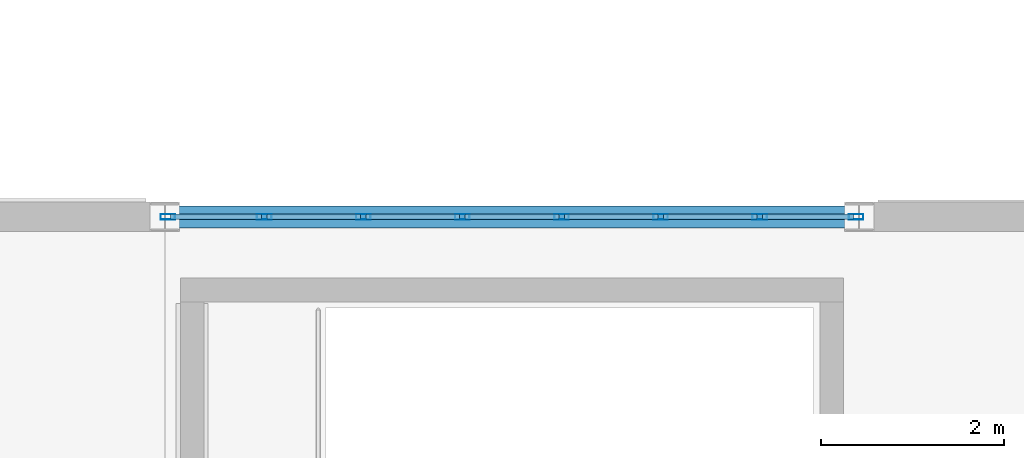
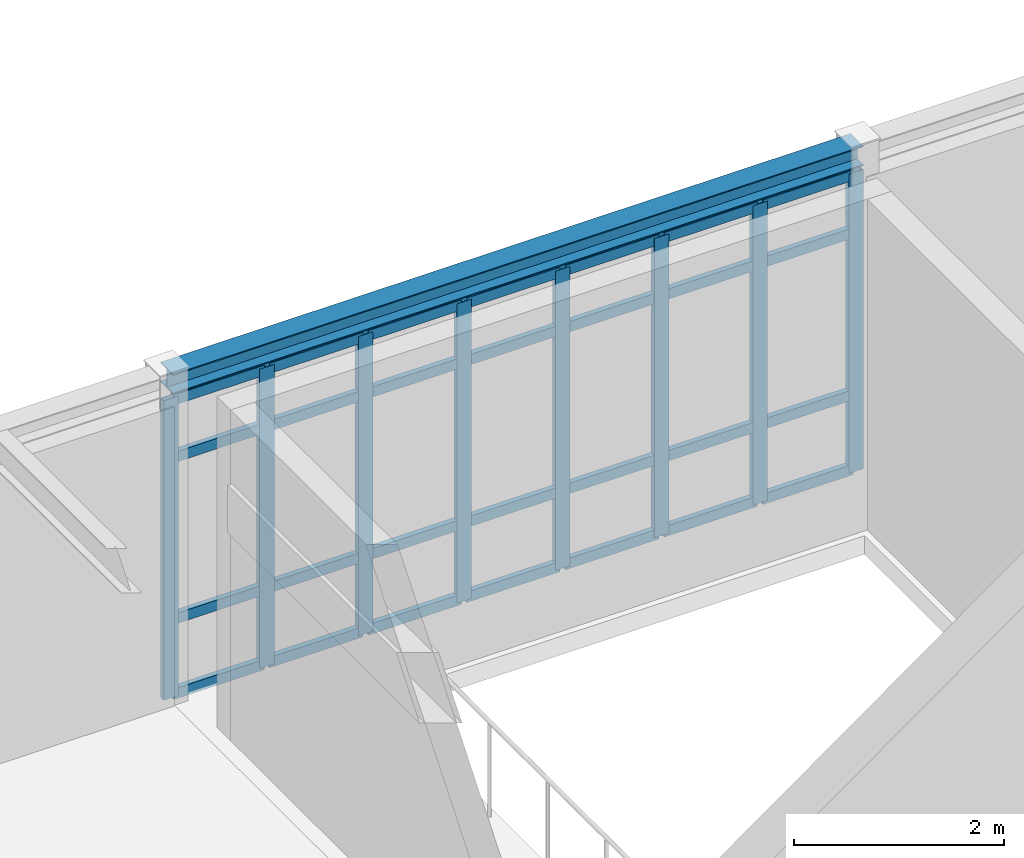
# One storey, part 41 of 114: 36 members, 1 beam, 1 element without a shape of its own.
"""IFC4 building model written with IfcOpenShell, lengths in metres."""

from ifc_helpers import new_model, si_unit, direction, frame, origin, origin_2d, place, context, subcontext, project, spatial, hollow_rectangle, i_section, extrude, material, layer, layer_set, material_profile, profile_set, type_object, element, aggregate, save


model = new_model("IFC4")

# Units and contexts
model_context = context("Model", 3, precision=1e-05, world=origin(), true_north=direction((0.0, 1.0)))
body_context = subcontext(model_context, "Body", "Model", "MODEL_VIEW")
ifc_project = project(units=[si_unit("LENGTHUNIT", "METRE"), si_unit("AREAUNIT", "SQUARE_METRE"), si_unit("VOLUMEUNIT", "CUBIC_METRE"), si_unit("PLANEANGLEUNIT", "RADIAN"), si_unit("MASSUNIT", "GRAM", prefix="KILO")], contexts=[model_context])

# Site, building, storey
site_placement = place(None, origin())
site = spatial("IfcSite", under=ifc_project, at=site_placement, CompositionType="ELEMENT")
building_placement = place(site_placement, origin())
building = spatial("IfcBuilding", under=site, at=building_placement, Name="Montecoro Central Library", CompositionType="ELEMENT")
storey_placement = place(building_placement, frame((0.0, 0.0, 13.260009765625)))
storey = spatial("IfcBuildingStorey", under=building, at=storey_placement, Name="L03", CompositionType="ELEMENT", Elevation=13.260009765625)

# Beam
ifc_material_1 = material(Name="Steel S355", Category="steel")
ifc_material_profile_1 = material_profile(ifc_material_1, i_section(OverallWidth=0.239990234375, OverallDepth=0.22998046875, WebThickness=0.007568359375, FlangeThickness=0.011962890625, at=origin_2d()), Name="HEA 240")
ifc_profile_set_1 = profile_set([ifc_material_profile_1], Name="Steel S355")
beam_type = type_object("IfcBeamType", Name="BM-SP-HEA240", PredefinedType="SPANDREL", material=ifc_profile_set_1)
beam_placement = place(storey_placement, frame((27.804931640625, 111.39990234375, 3.7099609375), z_axis=(1.0, 0.0, 0.0), x_axis=(0.0, 1.0, 0.0)))
element("IfcBeam", 1, at=beam_placement, inside=storey, type_object=beam_type, Name="V4-L03-BX-45-Q", PredefinedType="SPANDREL", context=body_context, shape_type="SweptSolid", body=[
    extrude(i_section(OverallWidth=0.239990234375, OverallDepth=0.22998046875, WebThickness=0.007568359375, FlangeThickness=0.011962890625, at=origin_2d()), origin(), (0.0, 0.0, 1.0), 7.590087890625),
])

# Curtain wall, members
ifc_material_2 = material(Name="Bronze-anodised aluminium and low-E glazing", Category="aluminium")
ifc_layer = layer(ifc_material_2, 0.159912109375)
ifc_layer_set = layer_set([ifc_layer], Name="Bronze-anodised aluminium and low-E glazing")
curtain_wall_type = type_object("IfcCurtainWallType", Name="CWT-051", PredefinedType="NOTDEFINED", material=ifc_layer_set)
curtain_wall_placement = place(storey_placement, origin())
curtain_wall = element("IfcCurtainWall", 2, at=curtain_wall_placement, inside=storey, type_object=curtain_wall_type, Name="V4-L03-CW-N3", PredefinedType="NOTDEFINED")
ifc_material_3 = material(Name="Bronze-anodised aluminium", Category="aluminium")
ifc_material_profile_2 = material_profile(ifc_material_3, hollow_rectangle(XDim=0.06005859375, YDim=0.159912109375, WallThickness=0.00390625, at=origin_2d()), Name="CWM 160x60x4.0")
ifc_profile_set_2 = profile_set([ifc_material_profile_2], Name="Bronze-anodised aluminium")
member_type_1 = type_object("IfcMemberType", Name="CWM-BRZ-60", PredefinedType="MULLION", material=ifc_profile_set_2)
member_1_placement = place(storey_placement, frame((35.365966796875, 111.39990234375, 0.0), z_axis=(0.0, 0.0, 1.0), x_axis=(0.0, -1.0, 0.0)))
member_1 = element("IfcMember", 3, at=member_1_placement, type_object=member_type_1, Name="CW-051 mullion 1", PredefinedType="MULLION", context=body_context, shape_type="SweptSolid", body=[
    extrude(hollow_rectangle(XDim=0.06005859375, YDim=0.159912109375, WallThickness=0.00390625, at=origin_2d()), origin(), (0.0, 0.0, 1.0), 3.47998046875),
])
member_2_placement = place(storey_placement, frame((34.3115234375, 111.39990234375, 0.0), z_axis=(0.0, 0.0, 1.0), x_axis=(0.0, -1.0, 0.0)))
member_2 = element("IfcMember", 4, at=member_2_placement, type_object=member_type_1, Name="CW-051 mullion 2", PredefinedType="MULLION", context=body_context, shape_type="SweptSolid", body=[
    extrude(hollow_rectangle(XDim=0.06005859375, YDim=0.159912109375, WallThickness=0.00390625, at=origin_2d()), origin(), (0.0, 0.0, 1.0), 3.47998046875),
])
member_3_placement = place(storey_placement, frame((33.226806640625, 111.39990234375, 0.0), z_axis=(0.0, 0.0, 1.0), x_axis=(0.0, -1.0, 0.0)))
member_3 = element("IfcMember", 5, at=member_3_placement, type_object=member_type_1, Name="CW-051 mullion 3", PredefinedType="MULLION", context=body_context, shape_type="SweptSolid", body=[
    extrude(hollow_rectangle(XDim=0.06005859375, YDim=0.159912109375, WallThickness=0.00390625, at=origin_2d()), origin(), (0.0, 0.0, 1.0), 3.47998046875),
])
member_4_placement = place(storey_placement, frame((32.142333984375, 111.39990234375, 0.0), z_axis=(0.0, 0.0, 1.0), x_axis=(0.0, -1.0, 0.0)))
member_4 = element("IfcMember", 6, at=member_4_placement, type_object=member_type_1, Name="CW-051 mullion 4", PredefinedType="MULLION", context=body_context, shape_type="SweptSolid", body=[
    extrude(hollow_rectangle(XDim=0.06005859375, YDim=0.159912109375, WallThickness=0.00390625, at=origin_2d()), origin(), (0.0, 0.0, 1.0), 3.47998046875),
])
member_5_placement = place(storey_placement, frame((31.0576171875, 111.39990234375, 0.0), z_axis=(0.0, 0.0, 1.0), x_axis=(0.0, -1.0, 0.0)))
member_5 = element("IfcMember", 7, at=member_5_placement, type_object=member_type_1, Name="CW-051 mullion 5", PredefinedType="MULLION", context=body_context, shape_type="SweptSolid", body=[
    extrude(hollow_rectangle(XDim=0.06005859375, YDim=0.159912109375, WallThickness=0.00390625, at=origin_2d()), origin(), (0.0, 0.0, 1.0), 3.47998046875),
])
member_6_placement = place(storey_placement, frame((29.97314453125, 111.39990234375, 0.0), z_axis=(0.0, 0.0, 1.0), x_axis=(0.0, -1.0, 0.0)))
member_6 = element("IfcMember", 8, at=member_6_placement, type_object=member_type_1, Name="CW-051 mullion 6", PredefinedType="MULLION", context=body_context, shape_type="SweptSolid", body=[
    extrude(hollow_rectangle(XDim=0.06005859375, YDim=0.159912109375, WallThickness=0.00390625, at=origin_2d()), origin(), (0.0, 0.0, 1.0), 3.47998046875),
])
member_7_placement = place(storey_placement, frame((28.888671875, 111.39990234375, 0.0), z_axis=(0.0, 0.0, 1.0), x_axis=(0.0, -1.0, 0.0)))
member_7 = element("IfcMember", 9, at=member_7_placement, type_object=member_type_1, Name="CW-051 mullion 7", PredefinedType="MULLION", context=body_context, shape_type="SweptSolid", body=[
    extrude(hollow_rectangle(XDim=0.06005859375, YDim=0.159912109375, WallThickness=0.00390625, at=origin_2d()), origin(), (0.0, 0.0, 1.0), 3.47998046875),
])
member_8_placement = place(storey_placement, frame((27.833984375, 111.39990234375, 0.0), z_axis=(0.0, 0.0, 1.0), x_axis=(0.0, -1.0, 0.0)))
member_8 = element("IfcMember", 10, at=member_8_placement, type_object=member_type_1, Name="CW-051 mullion 8", PredefinedType="MULLION", context=body_context, shape_type="SweptSolid", body=[
    extrude(hollow_rectangle(XDim=0.06005859375, YDim=0.159912109375, WallThickness=0.00390625, at=origin_2d()), origin(), (0.0, 0.0, 1.0), 3.47998046875),
])
ifc_material_profile_3 = material_profile(ifc_material_3, hollow_rectangle(XDim=0.06005859375, YDim=0.1201171875, WallThickness=0.00390625, at=origin_2d()), Name="CWT 120x60x4.0")
ifc_profile_set_3 = profile_set([ifc_material_profile_3], Name="Bronze-anodised aluminium")
member_type_2 = type_object("IfcMemberType", Name="CWT-BRZ-60", PredefinedType="USERDEFINED", material=ifc_profile_set_3)
member_9_placement = place(storey_placement, frame((35.3359375, 111.39990234375, 0.030029296875), z_axis=(-1.0, 0.0, 0.0), x_axis=(0.0, -1.0, 0.0)))
member_9 = element("IfcMember", 11, at=member_9_placement, type_object=member_type_2, Name="CW-051 transom 1.1", ObjectType="TRANSOM", PredefinedType="USERDEFINED", context=body_context, shape_type="SweptSolid", body=[
    extrude(hollow_rectangle(XDim=0.06005859375, YDim=0.1201171875, WallThickness=0.00390625, at=origin_2d()), origin(), (0.0, 0.0, 1.0), 0.99462890625),
])
member_10_placement = place(storey_placement, frame((35.3359375, 111.39990234375, 0.89990234375), z_axis=(-1.0, 0.0, 0.0), x_axis=(0.0, -1.0, 0.0)))
member_10 = element("IfcMember", 12, at=member_10_placement, type_object=member_type_2, Name="CW-051 transom 1.2", ObjectType="TRANSOM", PredefinedType="USERDEFINED", context=body_context, shape_type="SweptSolid", body=[
    extrude(hollow_rectangle(XDim=0.06005859375, YDim=0.1201171875, WallThickness=0.00390625, at=origin_2d()), origin(), (0.0, 0.0, 1.0), 0.99462890625),
])
member_11_placement = place(storey_placement, frame((35.3359375, 111.39990234375, 2.780029296875), z_axis=(-1.0, 0.0, 0.0), x_axis=(0.0, -1.0, 0.0)))
member_11 = element("IfcMember", 13, at=member_11_placement, type_object=member_type_2, Name="CW-051 transom 1.3", ObjectType="TRANSOM", PredefinedType="USERDEFINED", context=body_context, shape_type="SweptSolid", body=[
    extrude(hollow_rectangle(XDim=0.06005859375, YDim=0.1201171875, WallThickness=0.00390625, at=origin_2d()), origin(), (0.0, 0.0, 1.0), 0.99462890625),
])
member_12_placement = place(storey_placement, frame((35.3359375, 111.39990234375, 3.449951171875), z_axis=(-1.0, 0.0, 0.0), x_axis=(0.0, -1.0, 0.0)))
member_12 = element("IfcMember", 14, at=member_12_placement, type_object=member_type_2, Name="CW-051 transom 1.4", ObjectType="TRANSOM", PredefinedType="USERDEFINED", context=body_context, shape_type="SweptSolid", body=[
    extrude(hollow_rectangle(XDim=0.06005859375, YDim=0.1201171875, WallThickness=0.00390625, at=origin_2d()), origin(), (0.0, 0.0, 1.0), 0.99462890625),
])
member_13_placement = place(storey_placement, frame((34.281494140625, 111.39990234375, 0.030029296875), z_axis=(-1.0, 0.0, 0.0), x_axis=(0.0, -1.0, 0.0)))
member_13 = element("IfcMember", 15, at=member_13_placement, type_object=member_type_2, Name="CW-051 transom 2.1", ObjectType="TRANSOM", PredefinedType="USERDEFINED", context=body_context, shape_type="SweptSolid", body=[
    extrude(hollow_rectangle(XDim=0.06005859375, YDim=0.1201171875, WallThickness=0.00390625, at=origin_2d()), origin(), (0.0, 0.0, 1.0), 1.024658203125),
])
member_14_placement = place(storey_placement, frame((34.281494140625, 111.39990234375, 0.89990234375), z_axis=(-1.0, 0.0, 0.0), x_axis=(0.0, -1.0, 0.0)))
member_14 = element("IfcMember", 16, at=member_14_placement, type_object=member_type_2, Name="CW-051 transom 2.2", ObjectType="TRANSOM", PredefinedType="USERDEFINED", context=body_context, shape_type="SweptSolid", body=[
    extrude(hollow_rectangle(XDim=0.06005859375, YDim=0.1201171875, WallThickness=0.00390625, at=origin_2d()), origin(), (0.0, 0.0, 1.0), 1.024658203125),
])
member_15_placement = place(storey_placement, frame((34.281494140625, 111.39990234375, 2.780029296875), z_axis=(-1.0, 0.0, 0.0), x_axis=(0.0, -1.0, 0.0)))
member_15 = element("IfcMember", 17, at=member_15_placement, type_object=member_type_2, Name="CW-051 transom 2.3", ObjectType="TRANSOM", PredefinedType="USERDEFINED", context=body_context, shape_type="SweptSolid", body=[
    extrude(hollow_rectangle(XDim=0.06005859375, YDim=0.1201171875, WallThickness=0.00390625, at=origin_2d()), origin(), (0.0, 0.0, 1.0), 1.024658203125),
])
member_16_placement = place(storey_placement, frame((34.281494140625, 111.39990234375, 3.449951171875), z_axis=(-1.0, 0.0, 0.0), x_axis=(0.0, -1.0, 0.0)))
member_16 = element("IfcMember", 18, at=member_16_placement, type_object=member_type_2, Name="CW-051 transom 2.4", ObjectType="TRANSOM", PredefinedType="USERDEFINED", context=body_context, shape_type="SweptSolid", body=[
    extrude(hollow_rectangle(XDim=0.06005859375, YDim=0.1201171875, WallThickness=0.00390625, at=origin_2d()), origin(), (0.0, 0.0, 1.0), 1.024658203125),
])
member_17_placement = place(storey_placement, frame((33.19677734375, 111.39990234375, 0.030029296875), z_axis=(-1.0, 0.0, 0.0), x_axis=(0.0, -1.0, 0.0)))
member_17 = element("IfcMember", 19, at=member_17_placement, type_object=member_type_2, Name="CW-051 transom 3.1", ObjectType="TRANSOM", PredefinedType="USERDEFINED", context=body_context, shape_type="SweptSolid", body=[
    extrude(hollow_rectangle(XDim=0.06005859375, YDim=0.1201171875, WallThickness=0.00390625, at=origin_2d()), origin(), (0.0, 0.0, 1.0), 1.0244140625),
])
member_18_placement = place(storey_placement, frame((33.19677734375, 111.39990234375, 0.89990234375), z_axis=(-1.0, 0.0, 0.0), x_axis=(0.0, -1.0, 0.0)))
member_18 = element("IfcMember", 20, at=member_18_placement, type_object=member_type_2, Name="CW-051 transom 3.2", ObjectType="TRANSOM", PredefinedType="USERDEFINED", context=body_context, shape_type="SweptSolid", body=[
    extrude(hollow_rectangle(XDim=0.06005859375, YDim=0.1201171875, WallThickness=0.00390625, at=origin_2d()), origin(), (0.0, 0.0, 1.0), 1.0244140625),
])
member_19_placement = place(storey_placement, frame((33.19677734375, 111.39990234375, 2.780029296875), z_axis=(-1.0, 0.0, 0.0), x_axis=(0.0, -1.0, 0.0)))
member_19 = element("IfcMember", 21, at=member_19_placement, type_object=member_type_2, Name="CW-051 transom 3.3", ObjectType="TRANSOM", PredefinedType="USERDEFINED", context=body_context, shape_type="SweptSolid", body=[
    extrude(hollow_rectangle(XDim=0.06005859375, YDim=0.1201171875, WallThickness=0.00390625, at=origin_2d()), origin(), (0.0, 0.0, 1.0), 1.0244140625),
])
member_20_placement = place(storey_placement, frame((33.19677734375, 111.39990234375, 3.449951171875), z_axis=(-1.0, 0.0, 0.0), x_axis=(0.0, -1.0, 0.0)))
member_20 = element("IfcMember", 22, at=member_20_placement, type_object=member_type_2, Name="CW-051 transom 3.4", ObjectType="TRANSOM", PredefinedType="USERDEFINED", context=body_context, shape_type="SweptSolid", body=[
    extrude(hollow_rectangle(XDim=0.06005859375, YDim=0.1201171875, WallThickness=0.00390625, at=origin_2d()), origin(), (0.0, 0.0, 1.0), 1.0244140625),
])
member_21_placement = place(storey_placement, frame((32.1123046875, 111.39990234375, 0.030029296875), z_axis=(-1.0, 0.0, 0.0), x_axis=(0.0, -1.0, 0.0)))
member_21 = element("IfcMember", 23, at=member_21_placement, type_object=member_type_2, Name="CW-051 transom 4.1", ObjectType="TRANSOM", PredefinedType="USERDEFINED", context=body_context, shape_type="SweptSolid", body=[
    extrude(hollow_rectangle(XDim=0.06005859375, YDim=0.1201171875, WallThickness=0.00390625, at=origin_2d()), origin(), (0.0, 0.0, 1.0), 1.024658203125),
])
member_22_placement = place(storey_placement, frame((32.1123046875, 111.39990234375, 0.89990234375), z_axis=(-1.0, 0.0, 0.0), x_axis=(0.0, -1.0, 0.0)))
member_22 = element("IfcMember", 24, at=member_22_placement, type_object=member_type_2, Name="CW-051 transom 4.2", ObjectType="TRANSOM", PredefinedType="USERDEFINED", context=body_context, shape_type="SweptSolid", body=[
    extrude(hollow_rectangle(XDim=0.06005859375, YDim=0.1201171875, WallThickness=0.00390625, at=origin_2d()), origin(), (0.0, 0.0, 1.0), 1.024658203125),
])
member_23_placement = place(storey_placement, frame((32.1123046875, 111.39990234375, 2.780029296875), z_axis=(-1.0, 0.0, 0.0), x_axis=(0.0, -1.0, 0.0)))
member_23 = element("IfcMember", 25, at=member_23_placement, type_object=member_type_2, Name="CW-051 transom 4.3", ObjectType="TRANSOM", PredefinedType="USERDEFINED", context=body_context, shape_type="SweptSolid", body=[
    extrude(hollow_rectangle(XDim=0.06005859375, YDim=0.1201171875, WallThickness=0.00390625, at=origin_2d()), origin(), (0.0, 0.0, 1.0), 1.024658203125),
])
member_24_placement = place(storey_placement, frame((32.1123046875, 111.39990234375, 3.449951171875), z_axis=(-1.0, 0.0, 0.0), x_axis=(0.0, -1.0, 0.0)))
member_24 = element("IfcMember", 26, at=member_24_placement, type_object=member_type_2, Name="CW-051 transom 4.4", ObjectType="TRANSOM", PredefinedType="USERDEFINED", context=body_context, shape_type="SweptSolid", body=[
    extrude(hollow_rectangle(XDim=0.06005859375, YDim=0.1201171875, WallThickness=0.00390625, at=origin_2d()), origin(), (0.0, 0.0, 1.0), 1.024658203125),
])
member_25_placement = place(storey_placement, frame((31.02783203125, 111.39990234375, 0.030029296875), z_axis=(-1.0, 0.0, 0.0), x_axis=(0.0, -1.0, 0.0)))
member_25 = element("IfcMember", 27, at=member_25_placement, type_object=member_type_2, Name="CW-051 transom 5.1", ObjectType="TRANSOM", PredefinedType="USERDEFINED", context=body_context, shape_type="SweptSolid", body=[
    extrude(hollow_rectangle(XDim=0.06005859375, YDim=0.1201171875, WallThickness=0.00390625, at=origin_2d()), origin(), (0.0, 0.0, 1.0), 1.024658203125),
])
member_26_placement = place(storey_placement, frame((31.02783203125, 111.39990234375, 0.89990234375), z_axis=(-1.0, 0.0, 0.0), x_axis=(0.0, -1.0, 0.0)))
member_26 = element("IfcMember", 28, at=member_26_placement, type_object=member_type_2, Name="CW-051 transom 5.2", ObjectType="TRANSOM", PredefinedType="USERDEFINED", context=body_context, shape_type="SweptSolid", body=[
    extrude(hollow_rectangle(XDim=0.06005859375, YDim=0.1201171875, WallThickness=0.00390625, at=origin_2d()), origin(), (0.0, 0.0, 1.0), 1.024658203125),
])
member_27_placement = place(storey_placement, frame((31.02783203125, 111.39990234375, 2.780029296875), z_axis=(-1.0, 0.0, 0.0), x_axis=(0.0, -1.0, 0.0)))
member_27 = element("IfcMember", 29, at=member_27_placement, type_object=member_type_2, Name="CW-051 transom 5.3", ObjectType="TRANSOM", PredefinedType="USERDEFINED", context=body_context, shape_type="SweptSolid", body=[
    extrude(hollow_rectangle(XDim=0.06005859375, YDim=0.1201171875, WallThickness=0.00390625, at=origin_2d()), origin(), (0.0, 0.0, 1.0), 1.024658203125),
])
member_28_placement = place(storey_placement, frame((31.02783203125, 111.39990234375, 3.449951171875), z_axis=(-1.0, 0.0, 0.0), x_axis=(0.0, -1.0, 0.0)))
member_28 = element("IfcMember", 30, at=member_28_placement, type_object=member_type_2, Name="CW-051 transom 5.4", ObjectType="TRANSOM", PredefinedType="USERDEFINED", context=body_context, shape_type="SweptSolid", body=[
    extrude(hollow_rectangle(XDim=0.06005859375, YDim=0.1201171875, WallThickness=0.00390625, at=origin_2d()), origin(), (0.0, 0.0, 1.0), 1.024658203125),
])
member_29_placement = place(storey_placement, frame((29.943115234375, 111.39990234375, 0.030029296875), z_axis=(-1.0, 0.0, 0.0), x_axis=(0.0, -1.0, 0.0)))
member_29 = element("IfcMember", 31, at=member_29_placement, type_object=member_type_2, Name="CW-051 transom 6.1", ObjectType="TRANSOM", PredefinedType="USERDEFINED", context=body_context, shape_type="SweptSolid", body=[
    extrude(hollow_rectangle(XDim=0.06005859375, YDim=0.1201171875, WallThickness=0.00390625, at=origin_2d()), origin(), (0.0, 0.0, 1.0), 1.024658203125),
])
member_30_placement = place(storey_placement, frame((29.943115234375, 111.39990234375, 0.89990234375), z_axis=(-1.0, 0.0, 0.0), x_axis=(0.0, -1.0, 0.0)))
member_30 = element("IfcMember", 32, at=member_30_placement, type_object=member_type_2, Name="CW-051 transom 6.2", ObjectType="TRANSOM", PredefinedType="USERDEFINED", context=body_context, shape_type="SweptSolid", body=[
    extrude(hollow_rectangle(XDim=0.06005859375, YDim=0.1201171875, WallThickness=0.00390625, at=origin_2d()), origin(), (0.0, 0.0, 1.0), 1.024658203125),
])
member_31_placement = place(storey_placement, frame((29.943115234375, 111.39990234375, 2.780029296875), z_axis=(-1.0, 0.0, 0.0), x_axis=(0.0, -1.0, 0.0)))
member_31 = element("IfcMember", 33, at=member_31_placement, type_object=member_type_2, Name="CW-051 transom 6.3", ObjectType="TRANSOM", PredefinedType="USERDEFINED", context=body_context, shape_type="SweptSolid", body=[
    extrude(hollow_rectangle(XDim=0.06005859375, YDim=0.1201171875, WallThickness=0.00390625, at=origin_2d()), origin(), (0.0, 0.0, 1.0), 1.024658203125),
])
member_32_placement = place(storey_placement, frame((29.943115234375, 111.39990234375, 3.449951171875), z_axis=(-1.0, 0.0, 0.0), x_axis=(0.0, -1.0, 0.0)))
member_32 = element("IfcMember", 34, at=member_32_placement, type_object=member_type_2, Name="CW-051 transom 6.4", ObjectType="TRANSOM", PredefinedType="USERDEFINED", context=body_context, shape_type="SweptSolid", body=[
    extrude(hollow_rectangle(XDim=0.06005859375, YDim=0.1201171875, WallThickness=0.00390625, at=origin_2d()), origin(), (0.0, 0.0, 1.0), 1.024658203125),
])
member_33_placement = place(storey_placement, frame((28.858642578125, 111.39990234375, 0.030029296875), z_axis=(-1.0, 0.0, 0.0), x_axis=(0.0, -1.0, 0.0)))
member_33 = element("IfcMember", 35, at=member_33_placement, type_object=member_type_2, Name="CW-051 transom 7.1", ObjectType="TRANSOM", PredefinedType="USERDEFINED", context=body_context, shape_type="SweptSolid", body=[
    extrude(hollow_rectangle(XDim=0.06005859375, YDim=0.1201171875, WallThickness=0.00390625, at=origin_2d()), origin(), (0.0, 0.0, 1.0), 0.99462890625),
])
member_34_placement = place(storey_placement, frame((28.858642578125, 111.39990234375, 0.89990234375), z_axis=(-1.0, 0.0, 0.0), x_axis=(0.0, -1.0, 0.0)))
member_34 = element("IfcMember", 36, at=member_34_placement, type_object=member_type_2, Name="CW-051 transom 7.2", ObjectType="TRANSOM", PredefinedType="USERDEFINED", context=body_context, shape_type="SweptSolid", body=[
    extrude(hollow_rectangle(XDim=0.06005859375, YDim=0.1201171875, WallThickness=0.00390625, at=origin_2d()), origin(), (0.0, 0.0, 1.0), 0.99462890625),
])
member_35_placement = place(storey_placement, frame((28.858642578125, 111.39990234375, 2.780029296875), z_axis=(-1.0, 0.0, 0.0), x_axis=(0.0, -1.0, 0.0)))
member_35 = element("IfcMember", 37, at=member_35_placement, type_object=member_type_2, Name="CW-051 transom 7.3", ObjectType="TRANSOM", PredefinedType="USERDEFINED", context=body_context, shape_type="SweptSolid", body=[
    extrude(hollow_rectangle(XDim=0.06005859375, YDim=0.1201171875, WallThickness=0.00390625, at=origin_2d()), origin(), (0.0, 0.0, 1.0), 0.99462890625),
])
member_36_placement = place(storey_placement, frame((28.858642578125, 111.39990234375, 3.449951171875), z_axis=(-1.0, 0.0, 0.0), x_axis=(0.0, -1.0, 0.0)))
member_36 = element("IfcMember", 38, at=member_36_placement, type_object=member_type_2, Name="CW-051 transom 7.4", ObjectType="TRANSOM", PredefinedType="USERDEFINED", context=body_context, shape_type="SweptSolid", body=[
    extrude(hollow_rectangle(XDim=0.06005859375, YDim=0.1201171875, WallThickness=0.00390625, at=origin_2d()), origin(), (0.0, 0.0, 1.0), 0.99462890625),
])
aggregate(curtain_wall, [member_1, member_2, member_3, member_4, member_5, member_6, member_7, member_8, member_9, member_10, member_11, member_12, member_13, member_14, member_15, member_16, member_17, member_18, member_19, member_20, member_21, member_22, member_23, member_24, member_25, member_26, member_27, member_28, member_29, member_30, member_31, member_32, member_33, member_34, member_35, member_36])

save(model, "model.ifc")
